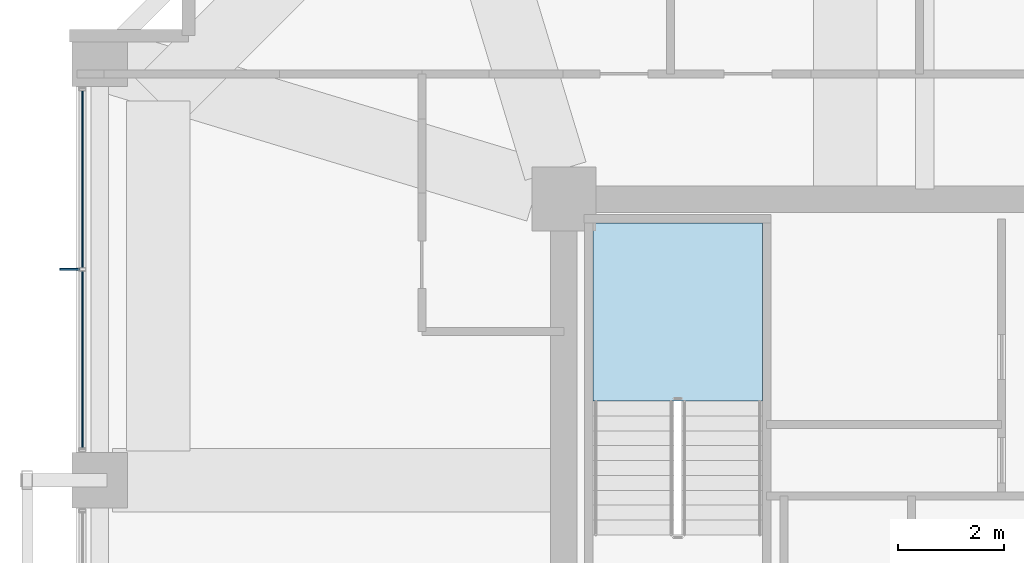
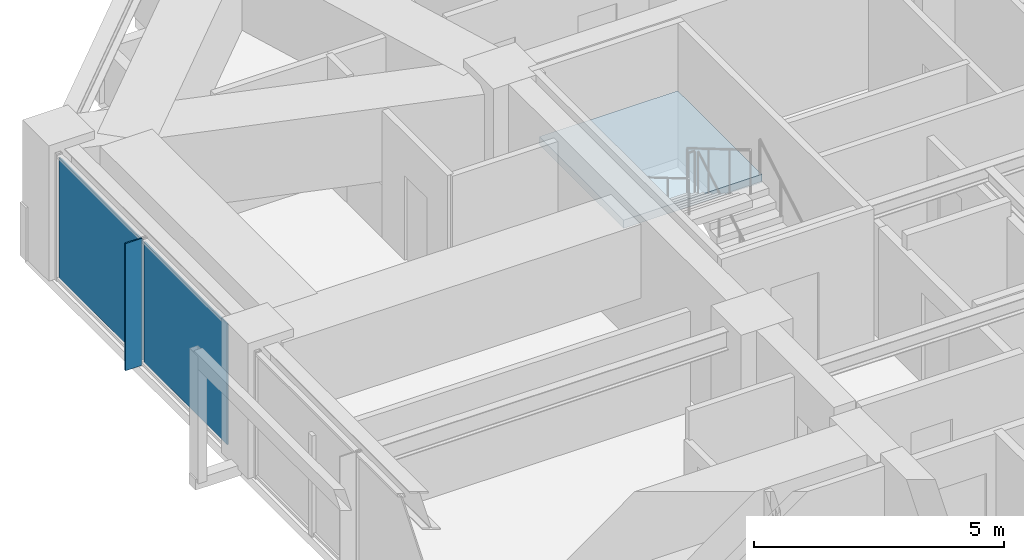
# One storey, part 20 of 28: 3 plates, 1 slab, 2 elements without a shape of their own.
"""IFC4 building model written with IfcOpenShell, lengths in metres."""

import ifcopenshell
import ifcopenshell.guid

model = None  # the IFC model being written
_history = None  # IfcOwnerHistory: only IFC2X3 demands one
_inside = {}  # id of a spatial element -> (the spatial element, [elements in it])
_under = {}  # id of a project, library or spatial element -> (it, [spatial elements below it])
_declared = {}  # id of a project -> (the project, [libraries it declares])
_typed = {}  # id of a type object -> (the type object, [elements of that type])
_made_of = {}  # id of a material, layer set ... -> (it, [elements and type objects made of it])


def new_model(schema):
    """Start an empty IFC model of exactly this schema.

    Asked for "IFC4X3", IfcOpenShell would pick the latest addendum, in which some entities
    have other attributes; the version numbers below select the first issue.
    IFC2X3 requires an IfcOwnerHistory on every rooted entity: one is made here for all.
    """
    global model, _history
    if schema == "IFC4X3":
        model = ifcopenshell.file(schema_version=(4, 3, 0, 0))
    else:
        model = ifcopenshell.file(schema=schema)
    _inside.clear()
    _under.clear()
    _declared.clear()
    _typed.clear()
    _made_of.clear()
    _history = None
    if model.schema == "IFC2X3":
        org = make("IfcOrganization", Name="unknown")
        user = make(
            "IfcPersonAndOrganization",
            ThePerson=make("IfcPerson", FamilyName="unknown"),
            TheOrganization=org,
        )
        app = make(
            "IfcApplication",
            ApplicationDeveloper=org,
            Version="unknown",
            ApplicationFullName="unknown",
            ApplicationIdentifier="unknown",
        )
        _history = make(
            "IfcOwnerHistory",
            OwningUser=user,
            OwningApplication=app,
            ChangeAction="ADDED",
            CreationDate=0,
        )
    return model


def make(cls, **values):
    """One entity of the class cls with the attributes given. An attribute that is None is left unset."""
    return model.create_entity(
        cls, **{name: value for name, value in values.items() if value is not None}
    )


def rooted(cls, **values):
    """An entity with a GlobalId (a new one), such as an element, a storey or a relation."""
    return make(cls, GlobalId=ifcopenshell.guid.new(), OwnerHistory=_history, **values)


def si_unit(unit_type, name, prefix=None):
    """IfcSIUnit, for example si_unit("LENGTHUNIT", "METRE", prefix="MILLI")."""
    return make("IfcSIUnit", UnitType=unit_type, Prefix=prefix, Name=name)


def assignment(units):
    """IfcUnitAssignment: the units of a project."""
    return None if units is None else make("IfcUnitAssignment", Units=units)


def point(xyz):
    """IfcCartesianPoint."""
    return None if xyz is None else make("IfcCartesianPoint", Coordinates=xyz)


def direction(xyz):
    """IfcDirection."""
    return None if xyz is None else make("IfcDirection", DirectionRatios=xyz)


def frame(location, z_axis=None, x_axis=None):
    """IfcAxis2Placement3D, a coordinate frame: its origin and axes. An axis left out is left unset."""
    return make(
        "IfcAxis2Placement3D",
        Location=point(location),
        Axis=direction(z_axis),
        RefDirection=direction(x_axis),
    )


def frame_2d(location, x_axis=None):
    """IfcAxis2Placement2D, a coordinate frame in the plane: its origin and x axis."""
    return make(
        "IfcAxis2Placement2D", Location=point(location), RefDirection=direction(x_axis)
    )


def origin():
    """The frame at (0, 0, 0) with its axes left unset."""
    return frame((0.0, 0.0, 0.0))


def origin_2d():
    """The frame at (0, 0) in the plane with its x axis left unset."""
    return frame_2d((0.0, 0.0))


def place(relative_to, where):
    """IfcLocalPlacement: puts the frame where relative to a parent placement (None: the world)."""
    return make(
        "IfcLocalPlacement", PlacementRelTo=relative_to, RelativePlacement=where
    )


def context(
    kind, dimensions, precision=None, world=None, true_north=None, identifier=None
):
    """IfcGeometricRepresentationContext, for example the 3D "Model" context."""
    return make(
        "IfcGeometricRepresentationContext",
        ContextIdentifier=identifier,
        ContextType=kind,
        CoordinateSpaceDimension=dimensions,
        Precision=precision,
        WorldCoordinateSystem=world,
        TrueNorth=true_north,
    )


def subcontext(parent, identifier, kind, view, scale=None):
    """IfcGeometricRepresentationSubContext, for example "Body" below "Model"."""
    return make(
        "IfcGeometricRepresentationSubContext",
        ContextIdentifier=identifier,
        ContextType=kind,
        ParentContext=parent,
        TargetScale=scale,
        TargetView=view,
    )


def project(units=None, contexts=None):
    """IfcProject with its units and contexts."""
    return rooted(
        "IfcProject",
        Name="project",
        RepresentationContexts=contexts,
        UnitsInContext=assignment(units),
    )


def spatial(cls, under=None, at=None, **own):
    """A site, building, storey or space (cls), placed at a placement, below another one or the project."""
    s = rooted(cls, ObjectPlacement=at, **own)
    if under is not None:
        _under.setdefault(under.id(), (under, []))[1].append(s)
    return s


def polyline(points):
    """IfcPolyline through the points."""
    return make("IfcPolyline", Points=[point(p) for p in points])


def profile(cls, at=None, kind="AREA", **sizes):
    """A parametric profile (cls). Its sizes go by their IFC names, for example OverallWidth=200.0."""
    return make(cls, ProfileType=kind, Position=at, **sizes)


def rectangle(**sizes):
    """IfcRectangleProfileDef."""
    return profile("IfcRectangleProfileDef", **sizes)


def outline(outer, holes=None, kind="AREA"):
    """IfcArbitraryClosedProfileDef: a profile drawn as a closed curve; with holes, ...WithVoids."""
    if holes is None:
        return make("IfcArbitraryClosedProfileDef", ProfileType=kind, OuterCurve=outer)
    return make(
        "IfcArbitraryProfileDefWithVoids",
        ProfileType=kind,
        OuterCurve=outer,
        InnerCurves=holes,
    )


def extrude(swept, where, along, depth):
    """IfcExtrudedAreaSolid: the profile swept, set in the frame where, extruded along a direction by depth."""
    return make(
        "IfcExtrudedAreaSolid",
        SweptArea=swept,
        Position=where,
        ExtrudedDirection=direction(along),
        Depth=depth,
    )


def shape(context_of_items, identifier, shape_type, items):
    """IfcShapeRepresentation: the items that make up one representation, for example the "Body"."""
    return make(
        "IfcShapeRepresentation",
        ContextOfItems=context_of_items,
        RepresentationIdentifier=identifier,
        RepresentationType=shape_type,
        Items=items,
    )


def material(Name=None, Category=None):
    """IfcMaterial."""
    return make("IfcMaterial", Name=Name, Category=Category)


def layer(
    of_material, thickness, ventilated=None, Name=None, Category=None, Priority=None
):
    """IfcMaterialLayer: one layer of a wall or slab, of a material (None: an air gap)."""
    return make(
        "IfcMaterialLayer",
        Material=of_material,
        LayerThickness=thickness,
        IsVentilated=ventilated,
        Name=Name,
        Category=Category,
        Priority=Priority,
    )


def layer_set(layers, Name=None):
    """IfcMaterialLayerSet."""
    return make("IfcMaterialLayerSet", MaterialLayers=layers, LayerSetName=Name)


def made_of(thing, what):
    """Note that an element or type object is made of a material, layer set ...; save() writes the relation."""
    if what is not None:
        _made_of.setdefault(what.id(), (what, []))[1].append(thing)
    return thing


def type_object(cls, material=None, **own):
    """A type object (cls), such as IfcWallType, which elements share."""
    return made_of(rooted(cls, **own), material)


def element(
    cls,
    number,
    at=None,
    inside=None,
    cuts=None,
    type_object=None,
    material=None,
    context=None,
    identifier="Body",
    shape_type=None,
    held_by="IfcProductDefinitionShape",
    body=None,
    shapes=None,
    **own,
):
    """One element of the class cls, such as IfcWall. Its Tag is "e" and its number.

    at: its placement. inside: the storey or other place that contains it. cuts: it is an
    opening in that element (IfcRelVoidsElement). A single representation is given by context,
    identifier, shape_type and body (its items); several are given by shapes. held_by: the class
    of the entity that holds the representations. save() writes the other relations.
    """
    e = rooted(cls, Tag="e%d" % number, ObjectPlacement=at, **own)
    if body is not None:
        shapes = [shape(context, identifier, shape_type, body)]
    if shapes is not None:
        e.Representation = make(held_by, Representations=shapes)
    if inside is not None:
        _inside.setdefault(inside.id(), (inside, []))[1].append(e)
    if cuts is not None:
        rooted(
            "IfcRelVoidsElement", RelatingBuildingElement=cuts, RelatedOpeningElement=e
        )
    if type_object is not None:
        _typed.setdefault(type_object.id(), (type_object, []))[1].append(e)
    return made_of(e, material)


def aggregate(whole, parts):
    """IfcRelAggregates: a whole, such as a stair, and the parts it consists of."""
    return rooted("IfcRelAggregates", RelatingObject=whole, RelatedObjects=parts)


def save(model, path):
    """Write the relations noted so far, then the file.

    IfcRelAggregates (storeys below a building ...), IfcRelContainedInSpatialStructure (elements
    in a storey), IfcRelDefinesByType, IfcRelAssociatesMaterial and IfcRelDeclares: one each for
    every whole, place, type object, material and project.
    """
    for whole, parts in _under.values():
        aggregate(whole, parts)
    for where, things in _inside.values():
        rooted(
            "IfcRelContainedInSpatialStructure",
            RelatedElements=things,
            RelatingStructure=where,
        )
    for kind, things in _typed.values():
        rooted("IfcRelDefinesByType", RelatedObjects=things, RelatingType=kind)
    for what, things in _made_of.values():
        rooted("IfcRelAssociatesMaterial", RelatedObjects=things, RelatingMaterial=what)
    for by, libraries in _declared.values():
        rooted("IfcRelDeclares", RelatingContext=by, RelatedDefinitions=libraries)
    model.write(path)


model = new_model("IFC4")

# Units and contexts
model_context = context("Model", 3, precision=1e-05, world=origin(), true_north=direction((0.0, 1.0)))
body_context = subcontext(model_context, "Body", "Model", "MODEL_VIEW")
ifc_project = project(units=[si_unit("LENGTHUNIT", "METRE"), si_unit("AREAUNIT", "SQUARE_METRE"), si_unit("VOLUMEUNIT", "CUBIC_METRE"), si_unit("PLANEANGLEUNIT", "RADIAN"), si_unit("MASSUNIT", "GRAM", prefix="KILO")], contexts=[model_context])

# Site, building, storey
site_placement = place(None, origin())
site = spatial("IfcSite", under=ifc_project, at=site_placement, CompositionType="ELEMENT")
building_placement = place(site_placement, origin())
building = spatial("IfcBuilding", under=site, at=building_placement, Name="Kolvaren Belvedere", CompositionType="ELEMENT")
storey_placement = place(building_placement, frame((0.0, 0.0, 125.0)))
storey = spatial("IfcBuildingStorey", under=building, at=storey_placement, Name="L36", CompositionType="ELEMENT", Elevation=125.0)

# Curtain wall, plates
ifc_material_1 = material(Name="Anodised pale-metal aluminium AA 6063-T6", Category="aluminium")
curtain_wall_type = type_object("IfcCurtainWallType", Name="CW-Z3-WAIST", PredefinedType="NOTDEFINED", material=ifc_material_1)
curtain_wall_placement = place(storey_placement, origin())
curtain_wall = element("IfcCurtainWall", 1, at=curtain_wall_placement, inside=storey, type_object=curtain_wall_type, Name="L36 Unitised Curtain Wall FCW-L36-W-B3", PredefinedType="NOTDEFINED")
ifc_material_2 = material(Name="Low-iron triple insulated glass", Category="glass")
ifc_layer_1 = layer(ifc_material_2, 0.028076171875)
ifc_layer_set_1 = layer_set([ifc_layer_1], Name="Low-iron triple insulated glass")
plate_type_1 = type_object("IfcPlateType", Name="CW-PNL-VIS28", PredefinedType="CURTAIN_PANEL", material=ifc_layer_set_1)
plate_1_placement = place(storey_placement, frame((-18.97998046875, 6.876220703125, 0.080078125), z_axis=(0.0, 0.0, 1.0), x_axis=(0.0, 1.0, 0.0)))
plate_1 = element("IfcPlate", 2, at=plate_1_placement, type_object=plate_type_1, Name="FCW-L36-W-B3 Vision Glazing Panel 1", PredefinedType="CURTAIN_PANEL", context=body_context, shape_type="SweptSolid", body=[
    extrude(rectangle(XDim=3.3173828125, YDim=0.028076171875, at=origin_2d()), origin(), (0.0, 0.0, 1.0), 2.93994140625),
])
plate_2_placement = place(storey_placement, frame((-18.97998046875, 10.273681640625, 0.080078125), z_axis=(0.0, 0.0, 1.0), x_axis=(0.0, 1.0, 0.0)))
plate_2 = element("IfcPlate", 3, at=plate_2_placement, type_object=plate_type_1, Name="FCW-L36-W-B3 Vision Glazing Panel 2", PredefinedType="CURTAIN_PANEL", context=body_context, shape_type="SweptSolid", body=[
    extrude(rectangle(XDim=3.3173828125, YDim=0.028076171875, at=origin_2d()), origin(), (0.0, 0.0, 1.0), 2.93994140625),
])
aggregate(curtain_wall, [plate_1, plate_2])

# Plate
ifc_material_3 = material(Name="Anodised pale-metal aluminium AA 6063-T6", Category="aluminium")
ifc_layer_2 = layer(ifc_material_3, 0.033935546875)
ifc_layer_set_2 = layer_set([ifc_layer_2], Name="Anodised pale-metal aluminium AA 6063-T6")
plate_type_2 = type_object("IfcPlateType", Name="FIN-VERT-380", PredefinedType="USERDEFINED", material=ifc_layer_set_2)
plate_3_placement = place(storey_placement, frame((-19.219970703125, 8.574951171875, 0.0), z_axis=(0.0, 0.0, 1.0), x_axis=(1.0, 0.0, 0.0)))
element("IfcPlate", 4, at=plate_3_placement, inside=storey, type_object=plate_type_2, Name="L36 Pale-Metal Vertical Shading Fin FCW-L36-W-B3-1", ObjectType="VERTICAL FIN", PredefinedType="USERDEFINED", context=body_context, shape_type="SweptSolid", body=[
    extrude(rectangle(XDim=0.3798828125, YDim=0.033935546875, at=origin_2d()), origin(), (0.0, 0.0, 1.0), 3.10009765625),
])

# Stair, slab
ifc_material_4 = material(Name="Concrete C50/60", Category="concrete")
stair_type = type_object("IfcStairType", Name="ST-CORE-1520", PredefinedType="HALF_TURN_STAIR", material=ifc_material_4)
stair_placement = place(storey_placement, origin())
stair = element("IfcStair", 5, at=stair_placement, inside=storey, type_object=stair_type, Name="L36 Protected Exit Stair ST-1", PredefinedType="HALF_TURN_STAIR")
ifc_material_5 = material(Name="Concrete C50/60", Category="concrete")
ifc_layer_3 = layer(ifc_material_5, 0.260009765625)
ifc_layer_set_3 = layer_set([ifc_layer_3], Name="Concrete C50/60")
slab_type = type_object("IfcSlabType", Name="SL-LAND-260", PredefinedType="LANDING", material=ifc_layer_set_3)
slab_placement = place(storey_placement, frame((0.0, 0.0, 1.449951171875)))
slab = element("IfcSlab", 6, at=slab_placement, type_object=slab_type, Name="ST-1 landing 1", PredefinedType="LANDING", context=body_context, shape_type="SweptSolid", body=[
    extrude(outline(polyline([(-6.159912109375, 6.090087890625), (-6.159912109375, 9.449951171875), (-9.35009765625, 9.449951171875), (-9.35009765625, 6.090087890625), (-6.159912109375, 6.090087890625)])), origin(), (0.0, 0.0, 1.0), 0.199951171875),
])
aggregate(stair, [slab])

save(model, "model.ifc")
